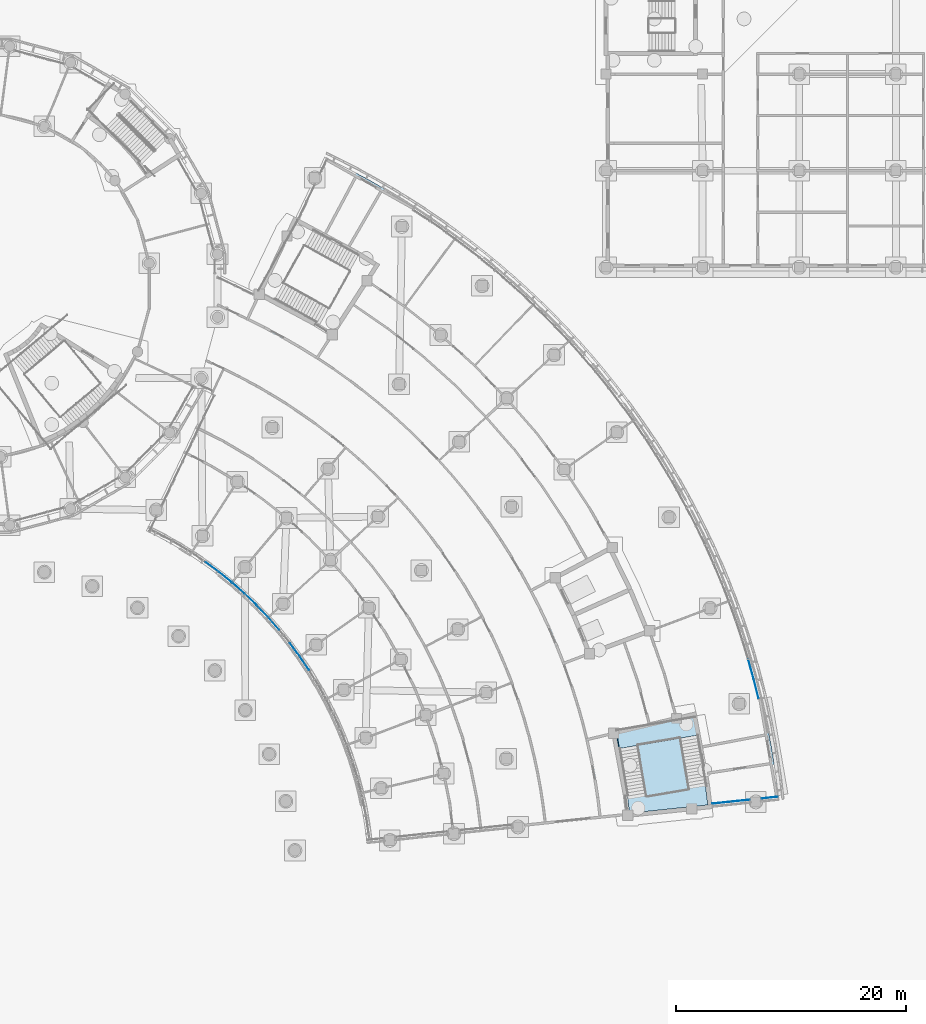
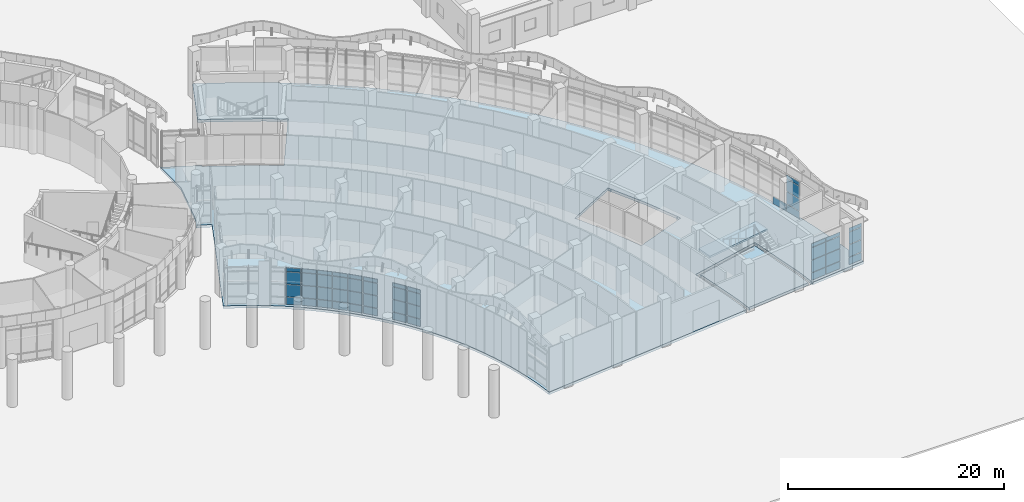
# One storey, part 49 of 146: 49 plates, 3 slabs, 8 elements without a shape of their own.
"""IFC4 building model written with IfcOpenShell, lengths in metres."""

from ifc_helpers import new_model, si_unit, direction, frame, origin, origin_2d, place, context, subcontext, project, spatial, polyline, rectangle, outline, extrude, material, layer, layer_set, type_object, element, aggregate, save


model = new_model("IFC4")

# Units and contexts
model_context = context("Model", 3, precision=1e-05, world=origin(), true_north=direction((0.0, 1.0)))
body_context = subcontext(model_context, "Body", "Model", "MODEL_VIEW")
ifc_project = project(units=[si_unit("LENGTHUNIT", "METRE"), si_unit("AREAUNIT", "SQUARE_METRE"), si_unit("VOLUMEUNIT", "CUBIC_METRE"), si_unit("PLANEANGLEUNIT", "RADIAN"), si_unit("MASSUNIT", "GRAM", prefix="KILO")], contexts=[model_context])

# Site, building, storey
site_placement = place(None, origin())
site = spatial("IfcSite", under=ifc_project, at=site_placement, CompositionType="ELEMENT")
building_placement = place(site_placement, origin())
building = spatial("IfcBuilding", under=site, at=building_placement, Name="Bougainvillea Quay General Hospital", CompositionType="ELEMENT")
storey_placement = place(building_placement, origin())
storey = spatial("IfcBuildingStorey", under=building, at=storey_placement, Name="L00", CompositionType="ELEMENT", Elevation=0.0)

# Curtain wall, plates
ifc_material_1 = material(Name="Aluminium curtain wall system, powder-coated glazed", Category="aluminium")
curtain_wall_type_1 = type_object("IfcCurtainWallType", Name="Unitised curtain wall CW-2100", PredefinedType="NOTDEFINED", material=ifc_material_1)
curtain_wall_1_placement = place(storey_placement, origin())
curtain_wall_1 = element("IfcCurtainWall", 1, at=curtain_wall_1_placement, inside=storey, type_object=curtain_wall_type_1, Name="CW-E02 a21b1", PredefinedType="NOTDEFINED")
ifc_material_2 = material(Name="Insulated aluminium spandrel panel, white", Category="aluminium")
ifc_layer_1 = layer(ifc_material_2, 0.028076171875)
ifc_layer_set_1 = layer_set([ifc_layer_1], Name="Insulated aluminium spandrel panel, white")
plate_type_1 = type_object("IfcPlateType", Name="Insulated spandrel panel white 28", PredefinedType="CURTAIN_PANEL", material=ifc_layer_set_1)
plate_1_placement = place(storey_placement, frame((129.552734375, 49.537109375, 0.06005859375), z_axis=(0.0, 0.0, 1.0), x_axis=(0.804188946942, -0.594373735638, 0.0)))
plate_1 = element("IfcPlate", 2, at=plate_1_placement, type_object=plate_type_1, Name="CW-E02 spandrel panel 2.1", PredefinedType="CURTAIN_PANEL", context=body_context, shape_type="SweptSolid", body=[
    extrude(rectangle(XDim=1.39697265625, YDim=0.028076171875, at=origin_2d()), origin(), (0.0, 0.0, 1.0), 0.81005859375),
])
plate_2_placement = place(storey_placement, frame((129.552734375, 49.537109375, 3.7802734375), z_axis=(0.0, 0.0, 1.0), x_axis=(0.804188946942, -0.594373735638, 0.0)))
plate_2 = element("IfcPlate", 3, at=plate_2_placement, type_object=plate_type_1, Name="CW-E02 spandrel panel 2.4", PredefinedType="CURTAIN_PANEL", context=body_context, shape_type="SweptSolid", body=[
    extrude(rectangle(XDim=1.39697265625, YDim=0.028076171875, at=origin_2d()), origin(), (0.0, 0.0, 1.0), 0.409912109375),
])
plate_3_placement = place(storey_placement, frame((130.693603515625, 48.65625, 0.06005859375), z_axis=(0.0, 0.0, 1.0), x_axis=(0.778184691702, -0.628035497086, 0.0)))
plate_3 = element("IfcPlate", 4, at=plate_3_placement, type_object=plate_type_1, Name="CW-E02 spandrel panel 3.1", PredefinedType="CURTAIN_PANEL", context=body_context, shape_type="SweptSolid", body=[
    extrude(rectangle(XDim=1.366943359375, YDim=0.028076171875, at=origin_2d()), origin(), (0.0, 0.0, 1.0), 0.81005859375),
])
plate_4_placement = place(storey_placement, frame((130.693603515625, 48.65625, 3.7802734375), z_axis=(0.0, 0.0, 1.0), x_axis=(0.778184691702, -0.628035497086, 0.0)))
plate_4 = element("IfcPlate", 5, at=plate_4_placement, type_object=plate_type_1, Name="CW-E02 spandrel panel 3.4", PredefinedType="CURTAIN_PANEL", context=body_context, shape_type="SweptSolid", body=[
    extrude(rectangle(XDim=1.366943359375, YDim=0.028076171875, at=origin_2d()), origin(), (0.0, 0.0, 1.0), 0.409912109375),
])

curtain_wall_2_placement = place(storey_placement, origin())
curtain_wall_2 = element("IfcCurtainWall", 6, at=curtain_wall_2_placement, inside=storey, type_object=curtain_wall_type_1, Name="CW-E03 a21b2", PredefinedType="NOTDEFINED")
plate_5_placement = place(storey_placement, frame((131.830322265625, 47.6982421875, 0.06005859375), z_axis=(0.0, 0.0, 1.0), x_axis=(0.750772439283, -0.660560931643, 0.0)))
plate_5 = element("IfcPlate", 7, at=plate_5_placement, type_object=plate_type_1, Name="CW-E03 spandrel panel 1.1", PredefinedType="CURTAIN_PANEL", context=body_context, shape_type="SweptSolid", body=[
    extrude(rectangle(XDim=1.366943359375, YDim=0.028076171875, at=origin_2d()), origin(), (0.0, 0.0, 1.0), 0.81005859375),
])
plate_6_placement = place(storey_placement, frame((131.830322265625, 47.6982421875, 3.7802734375), z_axis=(0.0, 0.0, 1.0), x_axis=(0.750772439283, -0.660560931643, 0.0)))
plate_6 = element("IfcPlate", 8, at=plate_6_placement, type_object=plate_type_1, Name="CW-E03 spandrel panel 1.4", PredefinedType="CURTAIN_PANEL", context=body_context, shape_type="SweptSolid", body=[
    extrude(rectangle(XDim=1.366943359375, YDim=0.028076171875, at=origin_2d()), origin(), (0.0, 0.0, 1.0), 0.409912109375),
])
plate_7_placement = place(storey_placement, frame((132.891845703125, 46.722900390625, 0.06005859375), z_axis=(0.0, 0.0, 1.0), x_axis=(0.722001787667, -0.69189118986, 0.0)))
plate_7 = element("IfcPlate", 9, at=plate_7_placement, type_object=plate_type_1, Name="CW-E03 spandrel panel 2.1", PredefinedType="CURTAIN_PANEL", context=body_context, shape_type="SweptSolid", body=[
    extrude(rectangle(XDim=1.39697265625, YDim=0.028076171875, at=origin_2d()), origin(), (0.0, 0.0, 1.0), 0.81005859375),
])
plate_8_placement = place(storey_placement, frame((132.891845703125, 46.722900390625, 3.7802734375), z_axis=(0.0, 0.0, 1.0), x_axis=(0.722001787667, -0.69189118986, 0.0)))
plate_8 = element("IfcPlate", 10, at=plate_8_placement, type_object=plate_type_1, Name="CW-E03 spandrel panel 2.4", PredefinedType="CURTAIN_PANEL", context=body_context, shape_type="SweptSolid", body=[
    extrude(rectangle(XDim=1.39697265625, YDim=0.028076171875, at=origin_2d()), origin(), (0.0, 0.0, 1.0), 0.409912109375),
])
plate_9_placement = place(storey_placement, frame((133.911376953125, 45.703857421875, 0.06005859375), z_axis=(0.0, 0.0, 1.0), x_axis=(0.691924792604, -0.721969584803, 0.0)))
plate_9 = element("IfcPlate", 11, at=plate_9_placement, type_object=plate_type_1, Name="CW-E03 spandrel panel 3.1", PredefinedType="CURTAIN_PANEL", context=body_context, shape_type="SweptSolid", body=[
    extrude(rectangle(XDim=1.366943359375, YDim=0.028076171875, at=origin_2d()), origin(), (0.0, 0.0, 1.0), 0.81005859375),
])
plate_10_placement = place(storey_placement, frame((133.911376953125, 45.703857421875, 3.7802734375), z_axis=(0.0, 0.0, 1.0), x_axis=(0.691924792604, -0.721969584803, 0.0)))
plate_10 = element("IfcPlate", 12, at=plate_10_placement, type_object=plate_type_1, Name="CW-E03 spandrel panel 3.4", PredefinedType="CURTAIN_PANEL", context=body_context, shape_type="SweptSolid", body=[
    extrude(rectangle(XDim=1.366943359375, YDim=0.028076171875, at=origin_2d()), origin(), (0.0, 0.0, 1.0), 0.409912109375),
])

curtain_wall_3_placement = place(storey_placement, origin())
curtain_wall_3 = element("IfcCurtainWall", 13, at=curtain_wall_3_placement, inside=storey, type_object=curtain_wall_type_1, Name="CW-E04 a21b3", PredefinedType="NOTDEFINED")
plate_11_placement = place(storey_placement, frame((134.9169921875, 44.60888671875, 0.06005859375), z_axis=(0.0, 0.0, 1.0), x_axis=(0.660595873455, -0.750741694576, 0.0)))
plate_11 = element("IfcPlate", 14, at=plate_11_placement, type_object=plate_type_1, Name="CW-E04 spandrel panel 1.1", PredefinedType="CURTAIN_PANEL", context=body_context, shape_type="SweptSolid", body=[
    extrude(rectangle(XDim=1.366943359375, YDim=0.028076171875, at=origin_2d()), origin(), (0.0, 0.0, 1.0), 0.81005859375),
])
plate_12_placement = place(storey_placement, frame((134.9169921875, 44.60888671875, 3.7802734375), z_axis=(0.0, 0.0, 1.0), x_axis=(0.660595873455, -0.750741694576, 0.0)))
plate_12 = element("IfcPlate", 15, at=plate_12_placement, type_object=plate_type_1, Name="CW-E04 spandrel panel 1.4", PredefinedType="CURTAIN_PANEL", context=body_context, shape_type="SweptSolid", body=[
    extrude(rectangle(XDim=1.366943359375, YDim=0.028076171875, at=origin_2d()), origin(), (0.0, 0.0, 1.0), 0.409912109375),
])
plate_13_placement = place(storey_placement, frame((136.727294921875, 42.365966796875, 0.06005859375), z_axis=(0.0, 0.0, 1.0), x_axis=(0.594411163652, -0.804161282658, 0.0)))
plate_13 = element("IfcPlate", 16, at=plate_13_placement, type_object=plate_type_1, Name="CW-E04 spandrel panel 3.1", PredefinedType="CURTAIN_PANEL", context=body_context, shape_type="SweptSolid", body=[
    extrude(rectangle(XDim=1.366943359375, YDim=0.028076171875, at=origin_2d()), origin(), (0.0, 0.0, 1.0), 0.81005859375),
])
plate_14_placement = place(storey_placement, frame((136.727294921875, 42.365966796875, 3.7802734375), z_axis=(0.0, 0.0, 1.0), x_axis=(0.594411163652, -0.804161282658, 0.0)))
plate_14 = element("IfcPlate", 17, at=plate_14_placement, type_object=plate_type_1, Name="CW-E04 spandrel panel 3.4", PredefinedType="CURTAIN_PANEL", context=body_context, shape_type="SweptSolid", body=[
    extrude(rectangle(XDim=1.366943359375, YDim=0.028076171875, at=origin_2d()), origin(), (0.0, 0.0, 1.0), 0.409912109375),
])

curtain_wall_4_placement = place(storey_placement, origin())
curtain_wall_4 = element("IfcCurtainWall", 18, at=curtain_wall_4_placement, inside=storey, type_object=curtain_wall_type_1, Name="CW-E05 a21b4", PredefinedType="NOTDEFINED")
plate_15_placement = place(storey_placement, frame((137.585205078125, 41.152099609375, 0.06005859375), z_axis=(0.0, 0.0, 1.0), x_axis=(0.559675123314, -0.828712107033, 0.0)))
plate_15 = element("IfcPlate", 19, at=plate_15_placement, type_object=plate_type_1, Name="CW-E05 spandrel panel 1.1", PredefinedType="CURTAIN_PANEL", context=body_context, shape_type="SweptSolid", body=[
    extrude(rectangle(XDim=1.366943359375, YDim=0.028076171875, at=origin_2d()), origin(), (0.0, 0.0, 1.0), 0.81005859375),
])
plate_16_placement = place(storey_placement, frame((137.585205078125, 41.152099609375, 3.7802734375), z_axis=(0.0, 0.0, 1.0), x_axis=(0.559675123314, -0.828712107033, 0.0)))
plate_16 = element("IfcPlate", 20, at=plate_16_placement, type_object=plate_type_1, Name="CW-E05 spandrel panel 1.4", PredefinedType="CURTAIN_PANEL", context=body_context, shape_type="SweptSolid", body=[
    extrude(rectangle(XDim=1.366943359375, YDim=0.028076171875, at=origin_2d()), origin(), (0.0, 0.0, 1.0), 0.409912109375),
])

curtain_wall_type_2 = type_object("IfcCurtainWallType", Name="Unitised curtain wall CW-1678", PredefinedType="NOTDEFINED", material=ifc_material_1)
curtain_wall_5_placement = place(storey_placement, origin())
curtain_wall_5 = element("IfcCurtainWall", 21, at=curtain_wall_5_placement, inside=storey, type_object=curtain_wall_type_2, Name="CW-AE 04", PredefinedType="NOTDEFINED")
plate_17_placement = place(storey_placement, frame((173.846435546875, 29.0458984375, 0.06005859375), z_axis=(0.0, 0.0, 1.0), x_axis=(0.9945220309, 0.104527173765, 0.0)))
plate_17 = element("IfcPlate", 22, at=plate_17_placement, type_object=plate_type_1, Name="CW-AE spandrel panel 1.1", PredefinedType="CURTAIN_PANEL", context=body_context, shape_type="SweptSolid", body=[
    extrude(rectangle(XDim=1.58740234375, YDim=0.028076171875, at=origin_2d()), origin(), (0.0, 0.0, 1.0), 0.81005859375),
])
plate_18_placement = place(storey_placement, frame((173.846435546875, 29.0458984375, 3.7802734375), z_axis=(0.0, 0.0, 1.0), x_axis=(0.9945220309, 0.104527173765, 0.0)))
plate_18 = element("IfcPlate", 23, at=plate_18_placement, type_object=plate_type_1, Name="CW-AE spandrel panel 1.4", PredefinedType="CURTAIN_PANEL", context=body_context, shape_type="SweptSolid", body=[
    extrude(rectangle(XDim=1.58740234375, YDim=0.028076171875, at=origin_2d()), origin(), (0.0, 0.0, 1.0), 0.409912109375),
])
plate_19_placement = place(storey_placement, frame((175.48486328125, 29.21826171875, 0.06005859375), z_axis=(0.0, 0.0, 1.0), x_axis=(0.9945220309, 0.104527173765, 0.0)))
plate_19 = element("IfcPlate", 24, at=plate_19_placement, type_object=plate_type_1, Name="CW-AE spandrel panel 2.1", PredefinedType="CURTAIN_PANEL", context=body_context, shape_type="SweptSolid", body=[
    extrude(rectangle(XDim=1.58740234375, YDim=0.028076171875, at=origin_2d()), origin(), (0.0, 0.0, 1.0), 0.81005859375),
])
plate_20_placement = place(storey_placement, frame((175.48486328125, 29.21826171875, 3.7802734375), z_axis=(0.0, 0.0, 1.0), x_axis=(0.9945220309, 0.104527173765, 0.0)))
plate_20 = element("IfcPlate", 25, at=plate_20_placement, type_object=plate_type_1, Name="CW-AE spandrel panel 2.4", PredefinedType="CURTAIN_PANEL", context=body_context, shape_type="SweptSolid", body=[
    extrude(rectangle(XDim=1.58740234375, YDim=0.028076171875, at=origin_2d()), origin(), (0.0, 0.0, 1.0), 0.409912109375),
])

curtain_wall_type_3 = type_object("IfcCurtainWallType", Name="Unitised curtain wall CW-1531", PredefinedType="NOTDEFINED", material=ifc_material_1)
curtain_wall_6_placement = place(storey_placement, origin())
curtain_wall_6 = element("IfcCurtainWall", 26, at=curtain_wall_6_placement, inside=storey, type_object=curtain_wall_type_3, Name="CW-AE 05", PredefinedType="NOTDEFINED")
plate_21_placement = place(storey_placement, frame((178.02978515625, 29.485595703125, 0.06005859375), z_axis=(0.0, 0.0, 1.0), x_axis=(0.9945220309, 0.104527173765, 0.0)))
plate_21 = element("IfcPlate", 27, at=plate_21_placement, type_object=plate_type_1, Name="CW-AE spandrel panel 1.1", PredefinedType="CURTAIN_PANEL", context=body_context, shape_type="SweptSolid", body=[
    extrude(rectangle(XDim=1.410400390625, YDim=0.028076171875, at=origin_2d()), origin(), (0.0, 0.0, 1.0), 0.81005859375),
])
plate_22_placement = place(storey_placement, frame((178.02978515625, 29.485595703125, 3.7802734375), z_axis=(0.0, 0.0, 1.0), x_axis=(0.9945220309, 0.104527173765, 0.0)))
plate_22 = element("IfcPlate", 28, at=plate_22_placement, type_object=plate_type_1, Name="CW-AE spandrel panel 1.4", PredefinedType="CURTAIN_PANEL", context=body_context, shape_type="SweptSolid", body=[
    extrude(rectangle(XDim=1.410400390625, YDim=0.028076171875, at=origin_2d()), origin(), (0.0, 0.0, 1.0), 0.409912109375),
])

curtain_wall_7_placement = place(storey_placement, origin())
curtain_wall_7 = element("IfcCurtainWall", 29, at=curtain_wall_7_placement, inside=storey, type_object=curtain_wall_type_1, Name="CW-E07 a23b6", PredefinedType="NOTDEFINED")
plate_23_placement = place(storey_placement, frame((176.405029296875, 40.649658203125, 0.06005859375), z_axis=(0.0, 0.0, 1.0), x_axis=(0.267399830158, -0.963585663463, 0.0)))
plate_23 = element("IfcPlate", 30, at=plate_23_placement, type_object=plate_type_1, Name="CW-E07 spandrel panel 4.1", PredefinedType="CURTAIN_PANEL", context=body_context, shape_type="SweptSolid", body=[
    extrude(rectangle(XDim=1.72021484375, YDim=0.028076171875, at=origin_2d()), origin(), (0.0, 0.0, 1.0), 0.81005859375),
])
plate_24_placement = place(storey_placement, frame((176.85546875, 38.943115234375, 0.06005859375), z_axis=(0.0, 0.0, 1.0), x_axis=(0.242721138583, -0.970096102912, 0.0)))
plate_24 = element("IfcPlate", 31, at=plate_24_placement, type_object=plate_type_1, Name="CW-E07 spandrel panel 5.1", PredefinedType="CURTAIN_PANEL", context=body_context, shape_type="SweptSolid", body=[
    extrude(rectangle(XDim=1.690185546875, YDim=0.028076171875, at=origin_2d()), origin(), (0.0, 0.0, 1.0), 0.81005859375),
])
plate_25_placement = place(storey_placement, frame((176.85546875, 38.943115234375, 3.7802734375), z_axis=(0.0, 0.0, 1.0), x_axis=(0.242721138583, -0.970096102912, 0.0)))
plate_25 = element("IfcPlate", 32, at=plate_25_placement, type_object=plate_type_1, Name="CW-E07 spandrel panel 5.4", PredefinedType="CURTAIN_PANEL", context=body_context, shape_type="SweptSolid", body=[
    extrude(rectangle(XDim=1.690185546875, YDim=0.028076171875, at=origin_2d()), origin(), (0.0, 0.0, 1.0), 0.409912109375),
])

# Plate
ifc_material_3 = material(Name="Low-e laminated glass, solar control", Category="glass")
ifc_layer_2 = layer(ifc_material_3, 0.028076171875)
ifc_layer_set_2 = layer_set([ifc_layer_2], Name="Low-e laminated glass, solar control")
plate_type_2 = type_object("IfcPlateType", Name="Low-e laminated vision glass 28", PredefinedType="CURTAIN_PANEL", material=ifc_layer_set_2)
plate_26_placement = place(storey_placement, frame((129.552734375, 49.537109375, 0.93017578125), z_axis=(0.0, 0.0, 1.0), x_axis=(0.804188946942, -0.594373735638, 0.0)))
plate_26 = element("IfcPlate", 33, at=plate_26_placement, type_object=plate_type_2, Name="CW-E02 vision glass panel 2.2", PredefinedType="CURTAIN_PANEL", context=body_context, shape_type="SweptSolid", body=[
    extrude(rectangle(XDim=1.39697265625, YDim=0.028076171875, at=origin_2d()), origin(), (0.0, 0.0, 1.0), 1.364990234375),
])

plate_27_placement = place(storey_placement, frame((129.552734375, 49.537109375, 2.35498046875), z_axis=(0.0, 0.0, 1.0), x_axis=(0.804188946942, -0.594373735638, 0.0)))
plate_27 = element("IfcPlate", 34, at=plate_27_placement, type_object=plate_type_2, Name="CW-E02 vision glass panel 2.3", PredefinedType="CURTAIN_PANEL", context=body_context, shape_type="SweptSolid", body=[
    extrude(rectangle(XDim=1.39697265625, YDim=0.028076171875, at=origin_2d()), origin(), (0.0, 0.0, 1.0), 1.364990234375),
])

plate_28_placement = place(storey_placement, frame((130.693603515625, 48.65625, 0.93017578125), z_axis=(0.0, 0.0, 1.0), x_axis=(0.778184691702, -0.628035497086, 0.0)))
plate_28 = element("IfcPlate", 35, at=plate_28_placement, type_object=plate_type_2, Name="CW-E02 vision glass panel 3.2", PredefinedType="CURTAIN_PANEL", context=body_context, shape_type="SweptSolid", body=[
    extrude(rectangle(XDim=1.366943359375, YDim=0.028076171875, at=origin_2d()), origin(), (0.0, 0.0, 1.0), 1.364990234375),
])

plate_29_placement = place(storey_placement, frame((130.693603515625, 48.65625, 2.35498046875), z_axis=(0.0, 0.0, 1.0), x_axis=(0.778184691702, -0.628035497086, 0.0)))
plate_29 = element("IfcPlate", 36, at=plate_29_placement, type_object=plate_type_2, Name="CW-E02 vision glass panel 3.3", PredefinedType="CURTAIN_PANEL", context=body_context, shape_type="SweptSolid", body=[
    extrude(rectangle(XDim=1.366943359375, YDim=0.028076171875, at=origin_2d()), origin(), (0.0, 0.0, 1.0), 1.364990234375),
])

aggregate(curtain_wall_1, [plate_1, plate_26, plate_27, plate_2, plate_3, plate_28, plate_29, plate_4])

plate_30_placement = place(storey_placement, frame((131.830322265625, 47.6982421875, 0.93017578125), z_axis=(0.0, 0.0, 1.0), x_axis=(0.750772439283, -0.660560931643, 0.0)))
plate_30 = element("IfcPlate", 37, at=plate_30_placement, type_object=plate_type_2, Name="CW-E03 vision glass panel 1.2", PredefinedType="CURTAIN_PANEL", context=body_context, shape_type="SweptSolid", body=[
    extrude(rectangle(XDim=1.366943359375, YDim=0.028076171875, at=origin_2d()), origin(), (0.0, 0.0, 1.0), 1.364990234375),
])

plate_31_placement = place(storey_placement, frame((131.830322265625, 47.6982421875, 2.35498046875), z_axis=(0.0, 0.0, 1.0), x_axis=(0.750772439283, -0.660560931643, 0.0)))
plate_31 = element("IfcPlate", 38, at=plate_31_placement, type_object=plate_type_2, Name="CW-E03 vision glass panel 1.3", PredefinedType="CURTAIN_PANEL", context=body_context, shape_type="SweptSolid", body=[
    extrude(rectangle(XDim=1.366943359375, YDim=0.028076171875, at=origin_2d()), origin(), (0.0, 0.0, 1.0), 1.364990234375),
])

plate_32_placement = place(storey_placement, frame((132.891845703125, 46.722900390625, 0.93017578125), z_axis=(0.0, 0.0, 1.0), x_axis=(0.722001787667, -0.69189118986, 0.0)))
plate_32 = element("IfcPlate", 39, at=plate_32_placement, type_object=plate_type_2, Name="CW-E03 vision glass panel 2.2", PredefinedType="CURTAIN_PANEL", context=body_context, shape_type="SweptSolid", body=[
    extrude(rectangle(XDim=1.39697265625, YDim=0.028076171875, at=origin_2d()), origin(), (0.0, 0.0, 1.0), 1.364990234375),
])

plate_33_placement = place(storey_placement, frame((132.891845703125, 46.722900390625, 2.35498046875), z_axis=(0.0, 0.0, 1.0), x_axis=(0.722001787667, -0.69189118986, 0.0)))
plate_33 = element("IfcPlate", 40, at=plate_33_placement, type_object=plate_type_2, Name="CW-E03 vision glass panel 2.3", PredefinedType="CURTAIN_PANEL", context=body_context, shape_type="SweptSolid", body=[
    extrude(rectangle(XDim=1.39697265625, YDim=0.028076171875, at=origin_2d()), origin(), (0.0, 0.0, 1.0), 1.364990234375),
])

plate_34_placement = place(storey_placement, frame((133.911376953125, 45.703857421875, 0.93017578125), z_axis=(0.0, 0.0, 1.0), x_axis=(0.691924792604, -0.721969584803, 0.0)))
plate_34 = element("IfcPlate", 41, at=plate_34_placement, type_object=plate_type_2, Name="CW-E03 vision glass panel 3.2", PredefinedType="CURTAIN_PANEL", context=body_context, shape_type="SweptSolid", body=[
    extrude(rectangle(XDim=1.366943359375, YDim=0.028076171875, at=origin_2d()), origin(), (0.0, 0.0, 1.0), 1.364990234375),
])

plate_35_placement = place(storey_placement, frame((133.911376953125, 45.703857421875, 2.35498046875), z_axis=(0.0, 0.0, 1.0), x_axis=(0.691924792604, -0.721969584803, 0.0)))
plate_35 = element("IfcPlate", 42, at=plate_35_placement, type_object=plate_type_2, Name="CW-E03 vision glass panel 3.3", PredefinedType="CURTAIN_PANEL", context=body_context, shape_type="SweptSolid", body=[
    extrude(rectangle(XDim=1.366943359375, YDim=0.028076171875, at=origin_2d()), origin(), (0.0, 0.0, 1.0), 1.364990234375),
])

aggregate(curtain_wall_2, [plate_5, plate_30, plate_31, plate_6, plate_7, plate_32, plate_33, plate_8, plate_9, plate_34, plate_35, plate_10])

plate_36_placement = place(storey_placement, frame((134.9169921875, 44.60888671875, 0.93017578125), z_axis=(0.0, 0.0, 1.0), x_axis=(0.660595873455, -0.750741694576, 0.0)))
plate_36 = element("IfcPlate", 43, at=plate_36_placement, type_object=plate_type_2, Name="CW-E04 vision glass panel 1.2", PredefinedType="CURTAIN_PANEL", context=body_context, shape_type="SweptSolid", body=[
    extrude(rectangle(XDim=1.366943359375, YDim=0.028076171875, at=origin_2d()), origin(), (0.0, 0.0, 1.0), 1.364990234375),
])

plate_37_placement = place(storey_placement, frame((134.9169921875, 44.60888671875, 2.35498046875), z_axis=(0.0, 0.0, 1.0), x_axis=(0.660595873455, -0.750741694576, 0.0)))
plate_37 = element("IfcPlate", 44, at=plate_37_placement, type_object=plate_type_2, Name="CW-E04 vision glass panel 1.3", PredefinedType="CURTAIN_PANEL", context=body_context, shape_type="SweptSolid", body=[
    extrude(rectangle(XDim=1.366943359375, YDim=0.028076171875, at=origin_2d()), origin(), (0.0, 0.0, 1.0), 1.364990234375),
])

plate_38_placement = place(storey_placement, frame((136.727294921875, 42.365966796875, 0.93017578125), z_axis=(0.0, 0.0, 1.0), x_axis=(0.594411163652, -0.804161282658, 0.0)))
plate_38 = element("IfcPlate", 45, at=plate_38_placement, type_object=plate_type_2, Name="CW-E04 vision glass panel 3.2", PredefinedType="CURTAIN_PANEL", context=body_context, shape_type="SweptSolid", body=[
    extrude(rectangle(XDim=1.366943359375, YDim=0.028076171875, at=origin_2d()), origin(), (0.0, 0.0, 1.0), 1.364990234375),
])

plate_39_placement = place(storey_placement, frame((136.727294921875, 42.365966796875, 2.35498046875), z_axis=(0.0, 0.0, 1.0), x_axis=(0.594411163652, -0.804161282658, 0.0)))
plate_39 = element("IfcPlate", 46, at=plate_39_placement, type_object=plate_type_2, Name="CW-E04 vision glass panel 3.3", PredefinedType="CURTAIN_PANEL", context=body_context, shape_type="SweptSolid", body=[
    extrude(rectangle(XDim=1.366943359375, YDim=0.028076171875, at=origin_2d()), origin(), (0.0, 0.0, 1.0), 1.364990234375),
])

aggregate(curtain_wall_3, [plate_11, plate_36, plate_37, plate_12, plate_13, plate_38, plate_39, plate_14])

plate_40_placement = place(storey_placement, frame((137.585205078125, 41.152099609375, 0.93017578125), z_axis=(0.0, 0.0, 1.0), x_axis=(0.559675123314, -0.828712107033, 0.0)))
plate_40 = element("IfcPlate", 47, at=plate_40_placement, type_object=plate_type_2, Name="CW-E05 vision glass panel 1.2", PredefinedType="CURTAIN_PANEL", context=body_context, shape_type="SweptSolid", body=[
    extrude(rectangle(XDim=1.366943359375, YDim=0.028076171875, at=origin_2d()), origin(), (0.0, 0.0, 1.0), 1.364990234375),
])

plate_41_placement = place(storey_placement, frame((137.585205078125, 41.152099609375, 2.35498046875), z_axis=(0.0, 0.0, 1.0), x_axis=(0.559675123314, -0.828712107033, 0.0)))
plate_41 = element("IfcPlate", 48, at=plate_41_placement, type_object=plate_type_2, Name="CW-E05 vision glass panel 1.3", PredefinedType="CURTAIN_PANEL", context=body_context, shape_type="SweptSolid", body=[
    extrude(rectangle(XDim=1.366943359375, YDim=0.028076171875, at=origin_2d()), origin(), (0.0, 0.0, 1.0), 1.364990234375),
])

aggregate(curtain_wall_4, [plate_15, plate_40, plate_41, plate_16])

plate_42_placement = place(storey_placement, frame((173.846435546875, 29.0458984375, 0.93017578125), z_axis=(0.0, 0.0, 1.0), x_axis=(0.9945220309, 0.104527173765, 0.0)))
plate_42 = element("IfcPlate", 49, at=plate_42_placement, type_object=plate_type_2, Name="CW-AE vision glass panel 1.2", PredefinedType="CURTAIN_PANEL", context=body_context, shape_type="SweptSolid", body=[
    extrude(rectangle(XDim=1.58740234375, YDim=0.028076171875, at=origin_2d()), origin(), (0.0, 0.0, 1.0), 1.364990234375),
])

plate_43_placement = place(storey_placement, frame((173.846435546875, 29.0458984375, 2.35498046875), z_axis=(0.0, 0.0, 1.0), x_axis=(0.9945220309, 0.104527173765, 0.0)))
plate_43 = element("IfcPlate", 50, at=plate_43_placement, type_object=plate_type_2, Name="CW-AE vision glass panel 1.3", PredefinedType="CURTAIN_PANEL", context=body_context, shape_type="SweptSolid", body=[
    extrude(rectangle(XDim=1.58740234375, YDim=0.028076171875, at=origin_2d()), origin(), (0.0, 0.0, 1.0), 1.364990234375),
])

plate_44_placement = place(storey_placement, frame((175.48486328125, 29.21826171875, 0.93017578125), z_axis=(0.0, 0.0, 1.0), x_axis=(0.9945220309, 0.104527173765, 0.0)))
plate_44 = element("IfcPlate", 51, at=plate_44_placement, type_object=plate_type_2, Name="CW-AE vision glass panel 2.2", PredefinedType="CURTAIN_PANEL", context=body_context, shape_type="SweptSolid", body=[
    extrude(rectangle(XDim=1.58740234375, YDim=0.028076171875, at=origin_2d()), origin(), (0.0, 0.0, 1.0), 1.364990234375),
])

plate_45_placement = place(storey_placement, frame((175.48486328125, 29.21826171875, 2.35498046875), z_axis=(0.0, 0.0, 1.0), x_axis=(0.9945220309, 0.104527173765, 0.0)))
plate_45 = element("IfcPlate", 52, at=plate_45_placement, type_object=plate_type_2, Name="CW-AE vision glass panel 2.3", PredefinedType="CURTAIN_PANEL", context=body_context, shape_type="SweptSolid", body=[
    extrude(rectangle(XDim=1.58740234375, YDim=0.028076171875, at=origin_2d()), origin(), (0.0, 0.0, 1.0), 1.364990234375),
])

aggregate(curtain_wall_5, [plate_17, plate_42, plate_43, plate_18, plate_19, plate_44, plate_45, plate_20])

plate_46_placement = place(storey_placement, frame((178.02978515625, 29.485595703125, 0.93017578125), z_axis=(0.0, 0.0, 1.0), x_axis=(0.9945220309, 0.104527173765, 0.0)))
plate_46 = element("IfcPlate", 53, at=plate_46_placement, type_object=plate_type_2, Name="CW-AE vision glass panel 1.2", PredefinedType="CURTAIN_PANEL", context=body_context, shape_type="SweptSolid", body=[
    extrude(rectangle(XDim=1.410400390625, YDim=0.028076171875, at=origin_2d()), origin(), (0.0, 0.0, 1.0), 1.364990234375),
])

plate_47_placement = place(storey_placement, frame((178.02978515625, 29.485595703125, 2.35498046875), z_axis=(0.0, 0.0, 1.0), x_axis=(0.9945220309, 0.104527173765, 0.0)))
plate_47 = element("IfcPlate", 54, at=plate_47_placement, type_object=plate_type_2, Name="CW-AE vision glass panel 1.3", PredefinedType="CURTAIN_PANEL", context=body_context, shape_type="SweptSolid", body=[
    extrude(rectangle(XDim=1.410400390625, YDim=0.028076171875, at=origin_2d()), origin(), (0.0, 0.0, 1.0), 1.364990234375),
])

aggregate(curtain_wall_6, [plate_21, plate_46, plate_47, plate_22])

plate_48_placement = place(storey_placement, frame((176.85546875, 38.943115234375, 0.93017578125), z_axis=(0.0, 0.0, 1.0), x_axis=(0.242721138583, -0.970096102912, 0.0)))
plate_48 = element("IfcPlate", 55, at=plate_48_placement, type_object=plate_type_2, Name="CW-E07 vision glass panel 5.2", PredefinedType="CURTAIN_PANEL", context=body_context, shape_type="SweptSolid", body=[
    extrude(rectangle(XDim=1.690185546875, YDim=0.028076171875, at=origin_2d()), origin(), (0.0, 0.0, 1.0), 1.364990234375),
])

plate_49_placement = place(storey_placement, frame((176.85546875, 38.943115234375, 2.35498046875), z_axis=(0.0, 0.0, 1.0), x_axis=(0.242721138583, -0.970096102912, 0.0)))
plate_49 = element("IfcPlate", 56, at=plate_49_placement, type_object=plate_type_2, Name="CW-E07 vision glass panel 5.3", PredefinedType="CURTAIN_PANEL", context=body_context, shape_type="SweptSolid", body=[
    extrude(rectangle(XDim=1.690185546875, YDim=0.028076171875, at=origin_2d()), origin(), (0.0, 0.0, 1.0), 1.364990234375),
])

aggregate(curtain_wall_7, [plate_23, plate_24, plate_48, plate_49, plate_25])

# Slabs
ifc_material_4 = material(Name="Concrete C35", Category="concrete")
ifc_layer_3 = layer(ifc_material_4, 0.300048828125)
ifc_layer_set_3 = layer_set([ifc_layer_3], Name="Concrete C35")
slab_type_1 = type_object("IfcSlabType", Name="RC FLAT SLAB 300 C35 GROUND", PredefinedType="BASESLAB", material=ifc_layer_set_3)
slab_1_placement = place(storey_placement, frame((0.0, 0.0, -0.300048828125)))
element("IfcSlab", 57, at=slab_1_placement, inside=storey, type_object=slab_type_1, Name="Slab S1 L00", PredefinedType="BASESLAB", context=body_context, shape_type="SweptSolid", body=[
    extrude(outline(polyline([(158.697021484375, 71.4970703125), (157.14306640625, 73.0048828125), (155.5419921875, 74.464111328125), (153.89697265625, 75.8720703125), (152.208984375, 77.22900390625), (150.47998046875, 78.532958984375), (148.7109375, 79.782958984375), (146.905029296875, 80.97802734375), (145.06201171875, 82.115966796875), (143.18505859375, 83.196044921875), (141.27587890625, 84.218017578125), (139.3359375, 85.180908203125), (136.827880859375, 79.923095703125), (136.986328125, 79.84765625), (136.9091796875, 79.685791015625), (136.989990234375, 79.83642578125), (142.224609375, 77.025634765625), (142.235107421875, 77.020263671875), (142.2451171875, 77.013916015625), (143.824951171875, 76.030029296875), (143.733154296875, 75.882568359375), (143.828857421875, 76.031005859375), (144.122802734375, 75.84130859375), (140.2197265625, 69.791015625), (140.03515625, 69.4970703125), (138.35302734375, 70.54296875), (133.726318359375, 73.03369140625), (133.419677734375, 73.184326171875), (133.4951171875, 73.34228515625), (130.02001953125, 75.0), (130.02001953125, 71.259033203125), (128.60107421875, 65.964111328125), (128.18310546875, 65.239990234375), (129.52001953125, 64.60205078125), (123.8369140625, 52.68798828125), (124.780029296875, 52.219970703125), (125.70703125, 51.72412109375), (126.618896484375, 51.198974609375), (127.513916015625, 50.64599609375), (128.39111328125, 50.06591796875), (129.25, 49.458984375), (130.090087890625, 48.825927734375), (130.909912109375, 48.166015625), (131.708984375, 47.48193359375), (132.486083984375, 46.77392578125), (133.241943359375, 46.0419921875), (133.97412109375, 45.285888671875), (134.681884765625, 44.509033203125), (135.365966796875, 43.7099609375), (136.02587890625, 42.889892578125), (136.658935546875, 42.050048828125), (137.26611328125, 41.19091796875), (137.845947265625, 40.31396484375), (138.39892578125, 39.4189453125), (138.924072265625, 38.507080078125), (139.419921875, 37.580078125), (139.887939453125, 36.636962890625), (140.325927734375, 35.680908203125), (140.73388671875, 34.7119140625), (141.112060546875, 33.72998046875), (141.4599609375, 32.737060546875), (141.777099609375, 31.73388671875), (142.06201171875, 30.721923828125), (142.31591796875, 29.700927734375), (142.5390625, 28.673095703125), (142.72900390625, 27.637939453125), (142.887939453125, 26.597900390625), (143.013916015625, 25.553955078125), (165.514404296875, 27.9189453125), (165.29638671875, 29.71337890625), (164.337158203125, 34.878662109375), (164.262451171875, 35.2119140625), (171.60888671875, 36.95166015625), (171.689697265625, 36.611083984375), (171.51513671875, 36.56982421875), (171.68310546875, 36.60107421875), (172.7744140625, 30.75927734375), (172.77685546875, 30.747802734375), (172.778076171875, 30.736083984375), (173.001708984375, 28.888916015625), (172.829345703125, 28.867919921875), (173.004638671875, 28.88623046875), (173.0234375, 28.7080078125), (178.81689453125, 29.31689453125), (178.556884765625, 31.467041015625), (178.23095703125, 33.60791015625), (177.839111328125, 35.738037109375), (177.381103515625, 37.85498046875), (176.85791015625, 39.9560546875), (176.27001953125, 42.041015625), (175.617919921875, 44.10595703125), (174.902099609375, 46.14990234375), (174.1240234375, 48.1708984375), (173.282958984375, 50.1669921875), (172.381103515625, 52.135986328125), (171.41796875, 54.075927734375), (170.39599609375, 55.985107421875), (169.31591796875, 57.862060546875), (168.177978515625, 59.705078125), (166.98291015625, 61.510986328125), (165.73291015625, 63.280029296875), (164.428955078125, 65.009033203125), (163.072021484375, 66.697021484375), (161.6640625, 68.342041015625), (160.205078125, 69.943115234375), (158.697021484375, 71.4970703125)]), holes=[polyline([(162.132080078125, 42.10693359375), (160.81396484375, 45.287841796875), (159.30126953125, 48.380126953125), (159.142333984375, 48.685546875), (164.22265625, 51.380615234375), (164.38671875, 51.071533203125), (164.2294921875, 50.988037109375), (164.384033203125, 51.063720703125), (166.051025390625, 47.662841796875), (166.056396484375, 47.65234375), (166.060546875, 47.641357421875), (167.5068359375, 44.1416015625), (167.34765625, 44.07568359375), (167.51416015625, 44.138427734375), (167.637451171875, 43.810791015625), (162.255859375, 41.78564453125), (162.132080078125, 42.10693359375)])]), origin(), (0.0, 0.0, 1.0), 0.300048828125),
])
slab_2_placement = place(storey_placement, frame((0.0, 0.0, -0.300048828125)))
element("IfcSlab", 58, at=slab_2_placement, inside=storey, type_object=slab_type_1, Name="Slab S1 L00", PredefinedType="BASESLAB", context=body_context, shape_type="SweptSolid", body=[
    extrude(outline(polyline([(164.67724609375, 34.942138671875), (165.641357421875, 29.7783203125), (165.64404296875, 29.766845703125), (165.64501953125, 29.7548828125), (165.86181640625, 27.960693359375), (165.84375, 28.13330078125), (172.65380859375, 28.849365234375), (172.429443359375, 30.6943359375), (171.340576171875, 36.5283203125), (164.50927734375, 34.91064453125), (164.67724609375, 34.942138671875)])), origin(), (0.0, 0.0, 1.0), 0.300048828125),
])

# Stair, slab
stair_type = type_object("IfcStairType", Name="Stair half-turn 1650 wide", PredefinedType="HALF_TURN_STAIR", material=ifc_material_4)
stair_placement = place(storey_placement, origin())
stair = element("IfcStair", 59, at=stair_placement, inside=storey, type_object=stair_type, Name="L00 stair ST-E2", PredefinedType="HALF_TURN_STAIR")
ifc_layer_4 = layer(ifc_material_4, 0.199951171875)
ifc_layer_set_4 = layer_set([ifc_layer_4], Name="Concrete C35")
slab_type_2 = type_object("IfcSlabType", Name="Stair landing 200", PredefinedType="LANDING", material=ifc_layer_set_4)
slab_3_placement = place(storey_placement, frame((0.0, 0.0, 2.5)))
slab_3 = element("IfcSlab", 60, at=slab_3_placement, type_object=slab_type_2, Name="ST-E2 landing 1", PredefinedType="LANDING", context=body_context, shape_type="SweptSolid", body=[
    extrude(outline(polyline([(171.823486328125, 34.92578125), (171.544677734375, 36.563232421875), (164.685302734375, 35.396240234375), (164.9638671875, 33.7587890625), (171.823486328125, 34.92578125)])), origin(), (0.0, 0.0, 1.0), 0.199951171875),
])
aggregate(stair, [slab_3])

save(model, "model.ifc")
